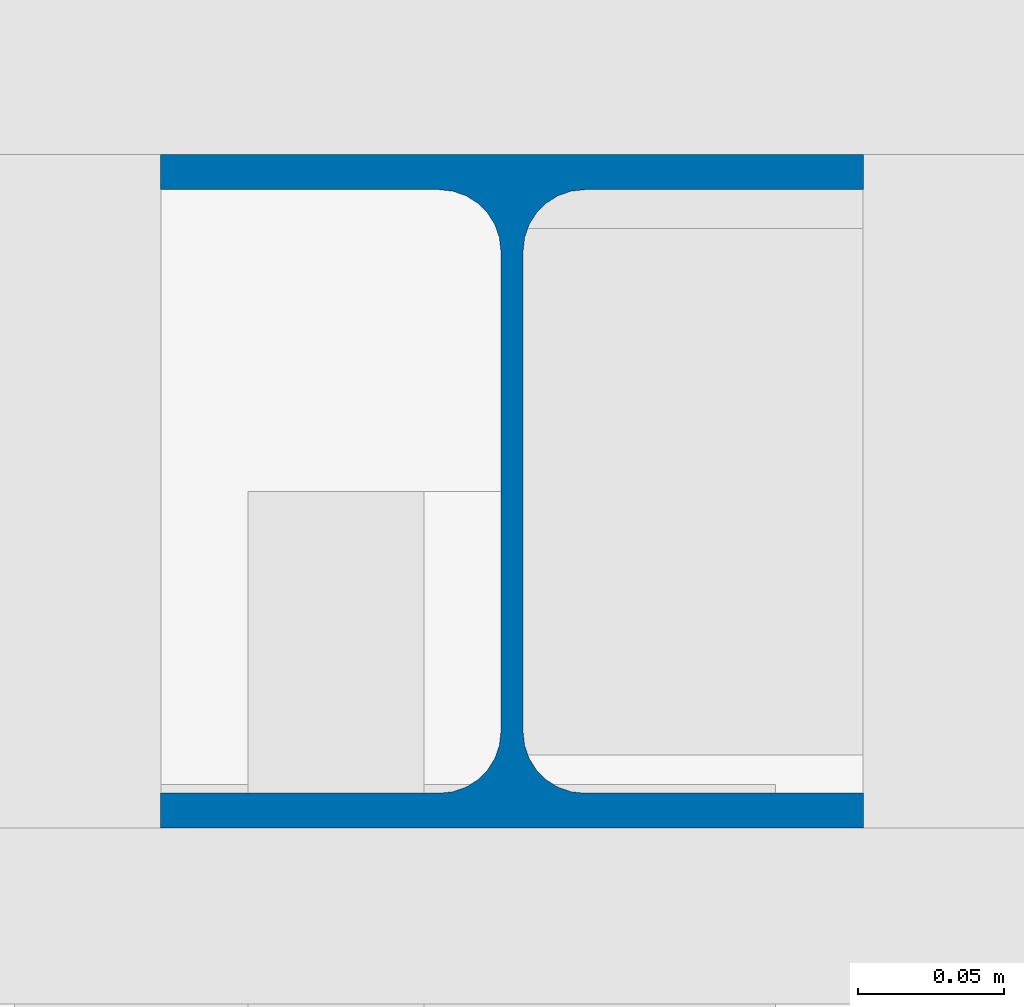
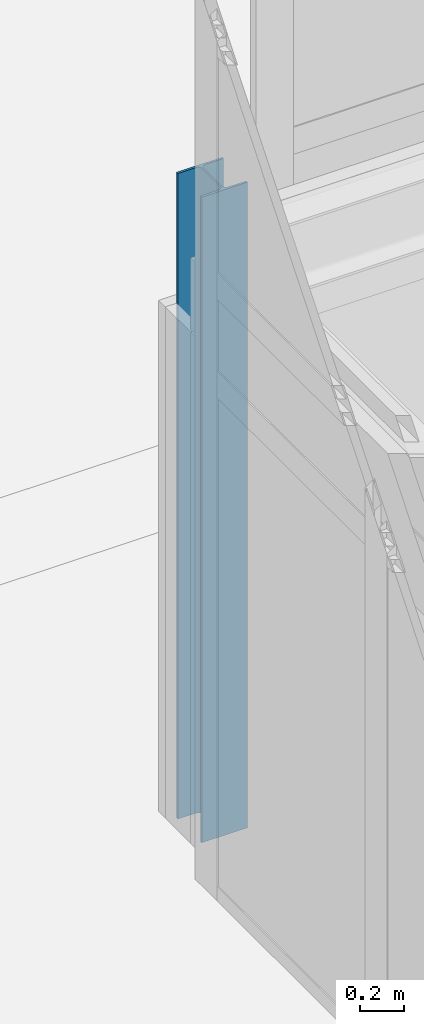
# One storey, part 11 of 143: 1 column.
"""IFC4 building model written with IfcOpenShell, lengths in metres."""

from ifc_helpers import new_model, si_unit, direction, frame, origin, origin_2d, place, context, subcontext, project, spatial, i_section, extrude, material, material_profile, profile_set, type_object, element, save


model = new_model("IFC4")

# Units and contexts
model_context = context("Model", 3, precision=1e-05, world=origin(), true_north=direction((0.0, 1.0)))
body_context = subcontext(model_context, "Body", "Model", "MODEL_VIEW")
ifc_project = project(units=[si_unit("LENGTHUNIT", "METRE"), si_unit("AREAUNIT", "SQUARE_METRE"), si_unit("VOLUMEUNIT", "CUBIC_METRE"), si_unit("PLANEANGLEUNIT", "RADIAN"), si_unit("MASSUNIT", "GRAM", prefix="KILO")], contexts=[model_context])

# Site, building, storey
site_placement = place(None, origin())
site = spatial("IfcSite", under=ifc_project, at=site_placement, CompositionType="ELEMENT")
building_placement = place(site_placement, origin())
building = spatial("IfcBuilding", under=site, at=building_placement, Name="Kupolbacken Congress Centre", CompositionType="ELEMENT")
storey_placement = place(building_placement, frame((0.0, 0.0, 7.199951171875)))
storey = spatial("IfcBuildingStorey", under=building, at=storey_placement, Name="L02", CompositionType="ELEMENT", Elevation=7.199951171875)

# Column
ifc_material = material(Name="Steel S355", Category="steel")
ifc_material_profile = material_profile(ifc_material, i_section(OverallWidth=0.239990234375, OverallDepth=0.22998046875, WebThickness=0.007568359375, FlangeThickness=0.011962890625, FilletRadius=0.02099609375, at=origin_2d()), Name="HEA 240")
ifc_profile_set = profile_set([ifc_material_profile], Name="Steel S355")
column_type = type_object("IfcColumnType", Name="C10 column HEA 240", PredefinedType="COLUMN", material=ifc_profile_set)
column_placement = place(storey_placement, frame((60.0, 148.800048828125, 0.0), z_axis=(0.0, 0.0, 1.0), x_axis=(1.0, 0.0, 0.0)))
element("IfcColumn", 1, at=column_placement, inside=storey, type_object=column_type, Name="E/T/portico/W/col148.8/L02", PredefinedType="COLUMN", context=body_context, shape_type="SweptSolid", body=[
    extrude(i_section(OverallWidth=0.239990234375, OverallDepth=0.22998046875, WebThickness=0.007568359375, FlangeThickness=0.011962890625, FilletRadius=0.02099609375, at=origin_2d()), origin(), (0.0, 0.0, 1.0), 3.60009765625),
])

save(model, "model.ifc")
